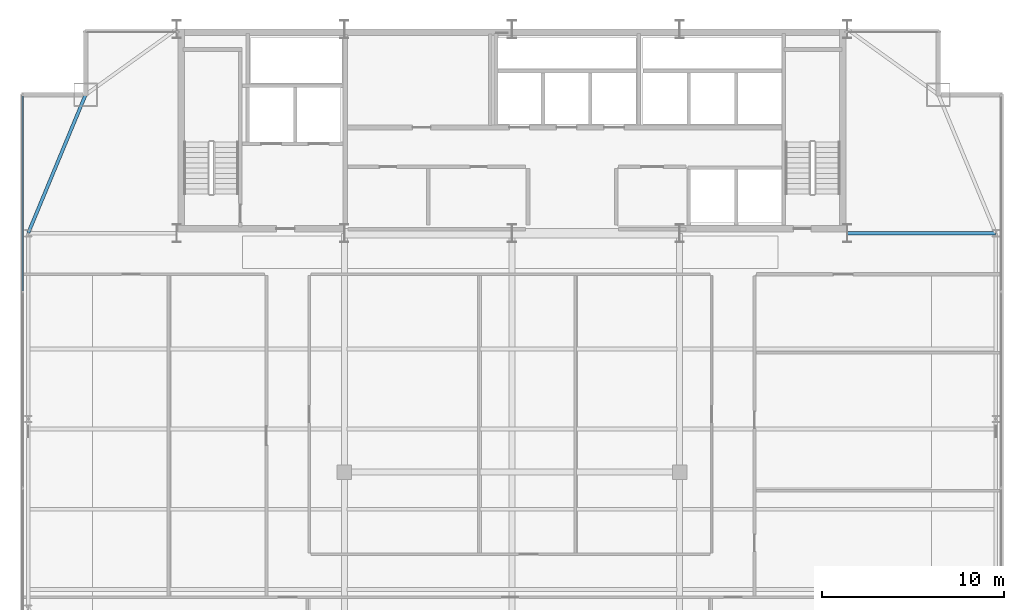
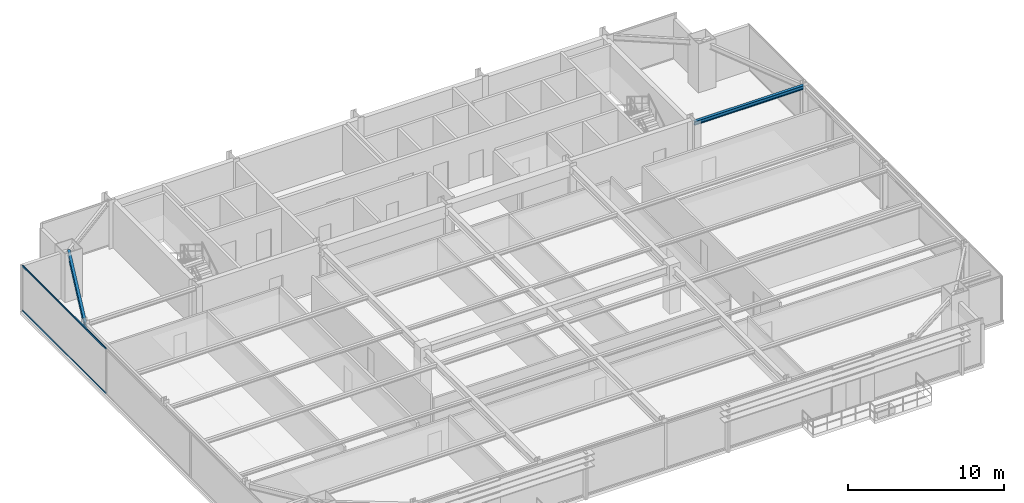
# One storey, part 19 of 31: 2 beams, 2 members, 1 element without a shape of its own.
"""IFC4 building model written with IfcOpenShell, lengths in metres."""

from ifc_helpers import new_model, si_unit, direction, frame, origin, origin_2d, place, context, subcontext, project, spatial, hollow_rectangle, i_section, extrude, source, transform, mapped, material, layer, layer_set, material_profile, profile_set, type_object, type_shapes, element, aggregate, save


model = new_model("IFC4")

# Units and contexts
model_context = context("Model", 3, precision=1e-05, world=origin(), true_north=direction((0.0, 1.0)))
body_context = subcontext(model_context, "Body", "Model", "MODEL_VIEW")
ifc_project = project(units=[si_unit("LENGTHUNIT", "METRE"), si_unit("AREAUNIT", "SQUARE_METRE"), si_unit("VOLUMEUNIT", "CUBIC_METRE"), si_unit("PLANEANGLEUNIT", "RADIAN"), si_unit("MASSUNIT", "GRAM", prefix="KILO")], contexts=[model_context])

# Site, building, storey
site_placement = place(None, origin())
site = spatial("IfcSite", under=ifc_project, at=site_placement, CompositionType="ELEMENT")
building_placement = place(site_placement, origin())
building = spatial("IfcBuilding", under=site, at=building_placement, Name="Varnel Quay Broadcast Tower", CompositionType="ELEMENT")
storey_placement = place(building_placement, frame((0.0, 0.0, 183.800048828125)))
storey = spatial("IfcBuildingStorey", under=building, at=storey_placement, Name="L45", CompositionType="ELEMENT", Elevation=183.800048828125)

# Beams
ifc_material_1 = material(Name="Structural Steel CSA G40.21 350W", Category="steel")
ifc_material_profile_1 = material_profile(ifc_material_1, i_section(OverallWidth=0.180908203125, OverallDepth=0.4169921875, WebThickness=0.010986328125, FlangeThickness=0.018310546875, FilletRadius=0.011962890625, at=origin_2d()), Name="W410X85")
ifc_profile_set_1 = profile_set([ifc_material_profile_1], Name="Structural Steel CSA G40.21 350W")
beam_type_1 = type_object("IfcBeamType", Name="Beam_W410X85", PredefinedType="SPANDREL", material=ifc_profile_set_1)
shared_shape_1 = source(origin(), body_context, "Body", "SweptSolid", [
    extrude(i_section(OverallWidth=0.180908203125, OverallDepth=0.4169921875, WebThickness=0.010986328125, FlangeThickness=0.018310546875, FilletRadius=0.011962890625, at=origin_2d()), origin(), (0.0, 0.0, 1.0), 8.186767578125),
])
type_shapes(beam_type_1, [shared_shape_1])
beam_1_placement = place(storey_placement, frame((7.457763671875, 35.618408203125, 3.341552734375), z_axis=(0.382874132092, 0.923800519038, 0.0), x_axis=(-0.923800519038, 0.382874132092, 0.0)))
element("IfcBeam", 1, at=beam_1_placement, inside=storey, type_object=beam_type_1, Name="L45 West Spandrel TC-W3-MC-NW", PredefinedType="SPANDREL", context=body_context, shape_type="MappedRepresentation", body=[
    mapped(shared_shape_1, transform((0.0, 0.0, 0.0), x_axis=(1.0, 0.0, 0.0), y_axis=(0.0, 1.0, 0.0), z_axis=(0.0, 0.0, 1.0), scale=1.0)),
])
ifc_material_profile_2 = material_profile(ifc_material_1, i_section(OverallWidth=0.202880859375, OverallDepth=0.302978515625, WebThickness=0.007568359375, FlangeThickness=0.01318359375, FilletRadius=0.011962890625, at=origin_2d()), Name="W310X60")
ifc_profile_set_2 = profile_set([ifc_material_profile_2], Name="Structural Steel CSA G40.21 350W")
beam_type_2 = type_object("IfcBeamType", Name="Beam_W310X60", PredefinedType="JOIST", material=ifc_profile_set_2)
shared_shape_2 = source(origin(), body_context, "Body", "SweptSolid", [
    extrude(i_section(OverallWidth=0.202880859375, OverallDepth=0.302978515625, WebThickness=0.007568359375, FlangeThickness=0.01318359375, FilletRadius=0.011962890625, at=origin_2d()), origin(), (0.0, 0.0, 1.0), 8.110107421875),
])
type_shapes(beam_type_2, [shared_shape_2])
beam_2_placement = place(storey_placement, frame((52.419921875, 35.60009765625, 3.3984375), z_axis=(1.0, 0.0, 0.0), x_axis=(0.0, 1.0, 0.0)))
element("IfcBeam", 2, at=beam_2_placement, inside=storey, type_object=beam_type_2, Name="L45 East Core Tie Joist", PredefinedType="JOIST", context=body_context, shape_type="MappedRepresentation", body=[
    mapped(shared_shape_2, transform((0.0, 0.0, 0.0), x_axis=(1.0, 0.0, 0.0), y_axis=(0.0, 1.0, 0.0), z_axis=(0.0, 0.0, 1.0), scale=1.0)),
])

# Curtain wall, members
ifc_material_2 = material(Name="Anodised Bronze Aluminium 6063-T6", Category="aluminium")
ifc_layer = layer(ifc_material_2, 0.18994140625, Name="Anodised Bronze Aluminium 6063-T6")
ifc_layer_set = layer_set([ifc_layer], Name="Anodised Bronze Aluminium 6063-T6")
curtain_wall_type = type_object("IfcCurtainWallType", Name="CW_UpperTower", PredefinedType="NOTDEFINED", material=ifc_layer_set)
curtain_wall_placement = place(storey_placement, origin())
curtain_wall = element("IfcCurtainWall", 3, at=curtain_wall_placement, inside=storey, type_object=curtain_wall_type, Name="L45 West Unitised Curtain Wall", PredefinedType="NOTDEFINED")
ifc_material_profile_3 = material_profile(ifc_material_2, hollow_rectangle(XDim=0.06005859375, YDim=0.125, WallThickness=0.0029296875, at=origin_2d()), Name="ALU60X125X3")
ifc_profile_set_3 = profile_set([ifc_material_profile_3], Name="Anodised Bronze Aluminium 6063-T6")
member_type = type_object("IfcMemberType", Name="Tran_CWS-03", PredefinedType="USERDEFINED", material=ifc_profile_set_3)
shared_shape_3 = source(origin(), body_context, "Body", "SweptSolid", [
    extrude(hollow_rectangle(XDim=0.06005859375, YDim=0.125, WallThickness=0.0029296875, at=origin_2d()), origin(), (0.0, 0.0, 1.0), 10.702392578125),
])
type_shapes(member_type, [shared_shape_3])
member_1_placement = place(storey_placement, frame((7.14990234375, 32.4326171875, 0.030029296875), z_axis=(0.0, 1.0, 0.0), x_axis=(-1.0, 0.0, 0.0)))
member_1 = element("IfcMember", 4, at=member_1_placement, type_object=member_type, Name="CWS-03 transom 3.1", ObjectType="TRANSOM", PredefinedType="USERDEFINED", context=body_context, shape_type="MappedRepresentation", body=[
    mapped(shared_shape_3, transform((0.0, 0.0, 0.0), x_axis=(1.0, 0.0, 0.0), y_axis=(0.0, 1.0, 0.0), z_axis=(0.0, 0.0, 1.0), scale=1.0)),
])
member_2_placement = place(storey_placement, frame((7.14990234375, 32.4326171875, 3.52001953125), z_axis=(0.0, 1.0, 0.0), x_axis=(-1.0, 0.0, 0.0)))
member_2 = element("IfcMember", 5, at=member_2_placement, type_object=member_type, Name="CWS-03 transom 3.2", ObjectType="TRANSOM", PredefinedType="USERDEFINED", context=body_context, shape_type="MappedRepresentation", body=[
    mapped(shared_shape_3, transform((0.0, 0.0, 0.0), x_axis=(1.0, 0.0, 0.0), y_axis=(0.0, 1.0, 0.0), z_axis=(0.0, 0.0, 1.0), scale=1.0)),
])
aggregate(curtain_wall, [member_1, member_2])

save(model, "model.ifc")
